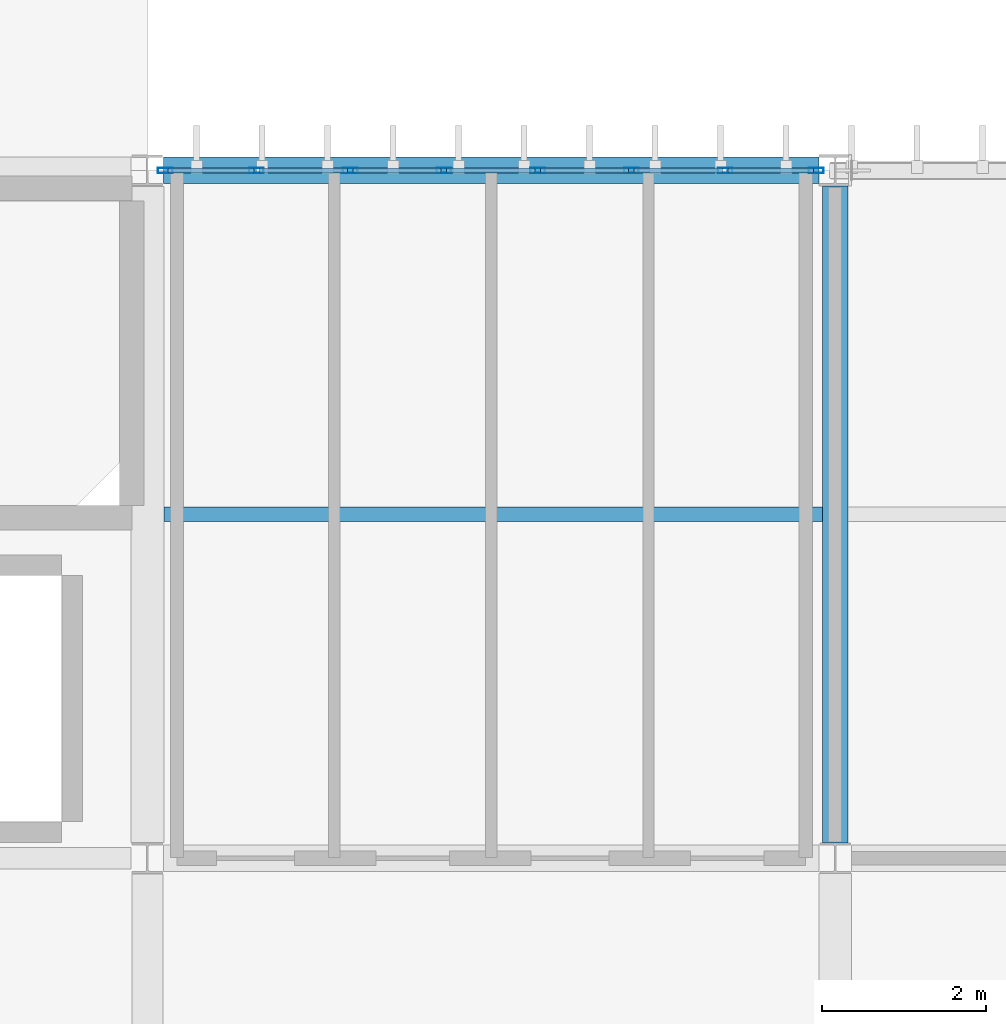
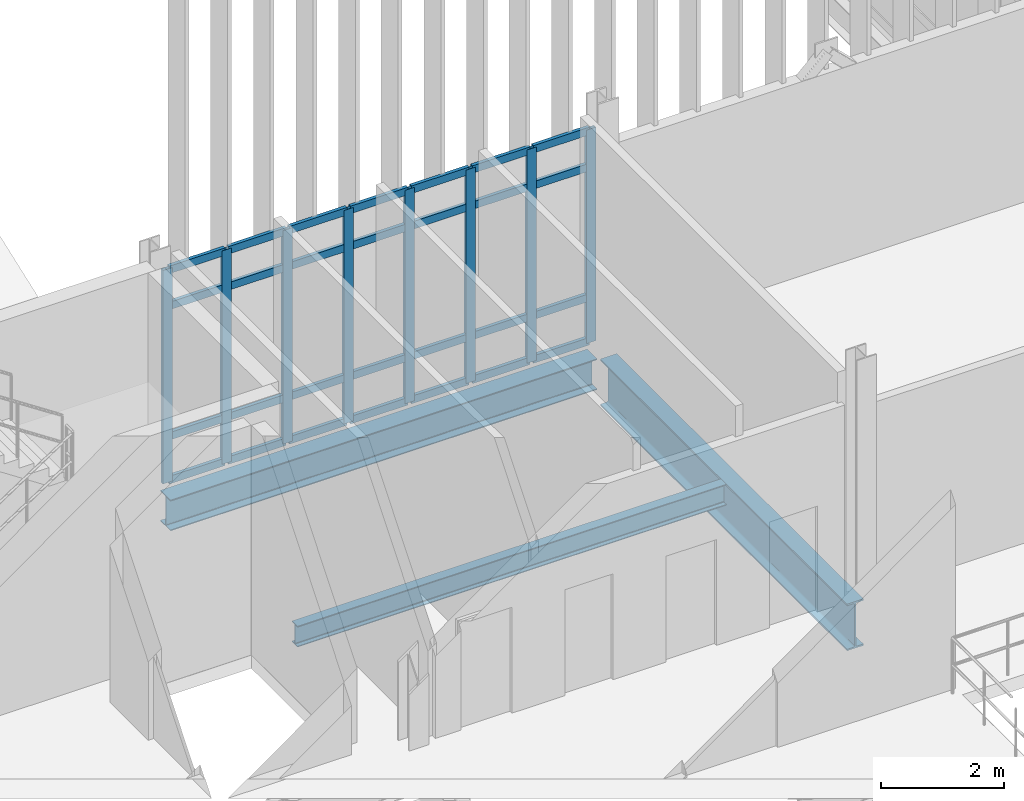
# One storey, part 28 of 153: 36 members, 3 beams, 1 element without a shape of its own.
"""IFC4 building model written with IfcOpenShell, lengths in metres."""

from ifc_helpers import new_model, si_unit, direction, frame, origin, origin_2d, place, context, subcontext, project, spatial, hollow_rectangle, i_section, extrude, material, layer, layer_set, material_profile, profile_set, type_object, element, aggregate, save


model = new_model("IFC4")

# Units and contexts
model_context = context("Model", 3, precision=1e-05, world=origin(), true_north=direction((0.0, 1.0)))
body_context = subcontext(model_context, "Body", "Model", "MODEL_VIEW")
ifc_project = project(units=[si_unit("LENGTHUNIT", "METRE"), si_unit("AREAUNIT", "SQUARE_METRE"), si_unit("VOLUMEUNIT", "CUBIC_METRE"), si_unit("PLANEANGLEUNIT", "RADIAN"), si_unit("MASSUNIT", "GRAM", prefix="KILO")], contexts=[model_context])

# Site, building, storey
site_placement = place(None, origin())
site = spatial("IfcSite", under=ifc_project, at=site_placement, CompositionType="ELEMENT")
building_placement = place(site_placement, origin())
building = spatial("IfcBuilding", under=site, at=building_placement, Name="Calvrana Isthmian Art Gallery", CompositionType="ELEMENT")
storey_placement = place(building_placement, frame((0.0, 0.0, 10.199951171875)))
storey = spatial("IfcBuildingStorey", under=building, at=storey_placement, Name="L02", CompositionType="ELEMENT", Elevation=10.199951171875)

# Beams
ifc_material_1 = material(Name="Steel ASTM A992 Gr 50", Category="steel")
ifc_material_profile_1 = material_profile(ifc_material_1, i_section(OverallWidth=0.324951171875, OverallDepth=0.612060546875, WebThickness=0.0126953125, FlangeThickness=0.01904296875, FilletRadius=0.02197265625, at=origin_2d()), Name="W24X104")
ifc_profile_set_1 = profile_set([ifc_material_profile_1], Name="Steel ASTM A992 Gr 50")
beam_type_1 = type_object("IfcBeamType", Name="BM-G-W24X104", PredefinedType="BEAM", material=ifc_profile_set_1)
beam_1_placement = place(storey_placement, frame((38.599609375, 46.800048828125, -0.571044921875), z_axis=(1.0, 0.0, 0.0), x_axis=(0.0, 1.0, 0.0)))
element("IfcBeam", 1, at=beam_1_placement, inside=storey, type_object=beam_type_1, Name="Girder X L02 06-07/G", PredefinedType="BEAM", context=body_context, shape_type="SweptSolid", body=[
    extrude(i_section(OverallWidth=0.324951171875, OverallDepth=0.612060546875, WebThickness=0.0126953125, FlangeThickness=0.01904296875, FilletRadius=0.02197265625, at=origin_2d()), origin(), (0.0, 0.0, 1.0), 8.00244140625),
])
ifc_material_profile_2 = material_profile(ifc_material_1, i_section(OverallWidth=0.306884765625, OverallDepth=0.927001953125, WebThickness=0.019287109375, FlangeThickness=0.031982421875, FilletRadius=0.028076171875, at=origin_2d()), Name="W36X194")
ifc_profile_set_2 = profile_set([ifc_material_profile_2], Name="Steel ASTM A992 Gr 50")
beam_type_2 = type_object("IfcBeamType", Name="BM-G-W36X194", PredefinedType="BEAM", material=ifc_profile_set_2)
beam_2_placement = place(storey_placement, frame((46.800048828125, 38.587890625, -0.728515625), z_axis=(0.0, 1.0, 0.0), x_axis=(-1.0, 0.0, 0.0)))
element("IfcBeam", 2, at=beam_2_placement, inside=storey, type_object=beam_type_2, Name="Girder Y L02 07/F-G", PredefinedType="BEAM", context=body_context, shape_type="SweptSolid", body=[
    extrude(i_section(OverallWidth=0.306884765625, OverallDepth=0.927001953125, WebThickness=0.019287109375, FlangeThickness=0.031982421875, FilletRadius=0.028076171875, at=origin_2d()), origin(), (0.0, 0.0, 1.0), 8.021728515625),
])
ifc_material_profile_3 = material_profile(ifc_material_1, i_section(OverallWidth=0.179931640625, OverallDepth=0.4140625, WebThickness=0.009765625, FlangeThickness=0.01611328125, FilletRadius=0.01806640625, at=origin_2d()), Name="W16X50")
ifc_profile_set_3 = profile_set([ifc_material_profile_3], Name="Steel ASTM A992 Gr 50")
beam_type_3 = type_object("IfcBeamType", Name="BM-J-W16X50", PredefinedType="JOIST", material=ifc_profile_set_3)
beam_3_placement = place(storey_placement, frame((38.6005859375, 42.60009765625, -0.471923828125), z_axis=(1.0, 0.0, 0.0), x_axis=(0.0, 1.0, 0.0)))
element("IfcBeam", 3, at=beam_3_placement, inside=storey, type_object=beam_type_3, Name="Composite joist L02 bay 05-05", PredefinedType="JOIST", context=body_context, shape_type="SweptSolid", body=[
    extrude(i_section(OverallWidth=0.179931640625, OverallDepth=0.4140625, WebThickness=0.009765625, FlangeThickness=0.01611328125, FilletRadius=0.01806640625, at=origin_2d()), origin(), (0.0, 0.0, 1.0), 8.0458984375),
])

# Curtain wall, members
ifc_material_2 = material(Name="Anodized bronze aluminium 6063-T6", Category="aluminium")
ifc_layer = layer(ifc_material_2, 0.179931640625, Name="Anodized bronze aluminium 6063-T6")
ifc_layer_set = layer_set([ifc_layer], Name="Anodized bronze aluminium 6063-T6")
curtain_wall_type = type_object("IfcCurtainWallType", Name="CW-UNIT-080X42", PredefinedType="USERDEFINED", material=ifc_layer_set)
curtain_wall_placement = place(storey_placement, origin())
curtain_wall = element("IfcCurtainWall", 4, at=curtain_wall_placement, inside=storey, type_object=curtain_wall_type, Name="Curtain wall CW-152", ObjectType="UNITISED CURTAIN WALL", PredefinedType="USERDEFINED")
ifc_material_profile_4 = material_profile(ifc_material_2, hollow_rectangle(XDim=0.06494140625, YDim=0.179931640625, WallThickness=0.00439453125, at=origin_2d()), Name="CWM65X180")
ifc_profile_set_4 = profile_set([ifc_material_profile_4], Name="Anodized bronze aluminium 6063-T6")
member_type_1 = type_object("IfcMemberType", Name="CWM-CWM65X180", PredefinedType="MULLION", material=ifc_profile_set_4)
member_1_placement = place(storey_placement, frame((38.618896484375, 46.800048828125, 0.0), z_axis=(0.0, 0.0, 1.0), x_axis=(0.0, 1.0, 0.0)))
member_1 = element("IfcMember", 5, at=member_1_placement, type_object=member_type_1, Name="CW-152 mullion 1", PredefinedType="MULLION", context=body_context, shape_type="SweptSolid", body=[
    extrude(hollow_rectangle(XDim=0.06494140625, YDim=0.179931640625, WallThickness=0.00439453125, at=origin_2d()), origin(), (0.0, 0.0, 1.0), 4.2353515625),
])
member_2_placement = place(storey_placement, frame((39.7314453125, 46.800048828125, 0.0), z_axis=(0.0, 0.0, 1.0), x_axis=(0.0, 1.0, 0.0)))
member_2 = element("IfcMember", 6, at=member_2_placement, type_object=member_type_1, Name="CW-152 mullion 2", PredefinedType="MULLION", context=body_context, shape_type="SweptSolid", body=[
    extrude(hollow_rectangle(XDim=0.06494140625, YDim=0.179931640625, WallThickness=0.00439453125, at=origin_2d()), origin(), (0.0, 0.0, 1.0), 4.2353515625),
])
member_3_placement = place(storey_placement, frame((40.876220703125, 46.800048828125, 0.0), z_axis=(0.0, 0.0, 1.0), x_axis=(0.0, 1.0, 0.0)))
member_3 = element("IfcMember", 7, at=member_3_placement, type_object=member_type_1, Name="CW-152 mullion 3", PredefinedType="MULLION", context=body_context, shape_type="SweptSolid", body=[
    extrude(hollow_rectangle(XDim=0.06494140625, YDim=0.179931640625, WallThickness=0.00439453125, at=origin_2d()), origin(), (0.0, 0.0, 1.0), 4.2353515625),
])
member_4_placement = place(storey_placement, frame((42.02099609375, 46.800048828125, 0.0), z_axis=(0.0, 0.0, 1.0), x_axis=(0.0, 1.0, 0.0)))
member_4 = element("IfcMember", 8, at=member_4_placement, type_object=member_type_1, Name="CW-152 mullion 4", PredefinedType="MULLION", context=body_context, shape_type="SweptSolid", body=[
    extrude(hollow_rectangle(XDim=0.06494140625, YDim=0.179931640625, WallThickness=0.00439453125, at=origin_2d()), origin(), (0.0, 0.0, 1.0), 4.2353515625),
])
member_5_placement = place(storey_placement, frame((43.166015625, 46.800048828125, 0.0), z_axis=(0.0, 0.0, 1.0), x_axis=(0.0, 1.0, 0.0)))
member_5 = element("IfcMember", 9, at=member_5_placement, type_object=member_type_1, Name="CW-152 mullion 5", PredefinedType="MULLION", context=body_context, shape_type="SweptSolid", body=[
    extrude(hollow_rectangle(XDim=0.06494140625, YDim=0.179931640625, WallThickness=0.00439453125, at=origin_2d()), origin(), (0.0, 0.0, 1.0), 4.2353515625),
])
member_6_placement = place(storey_placement, frame((44.310791015625, 46.800048828125, 0.0), z_axis=(0.0, 0.0, 1.0), x_axis=(0.0, 1.0, 0.0)))
member_6 = element("IfcMember", 10, at=member_6_placement, type_object=member_type_1, Name="CW-152 mullion 6", PredefinedType="MULLION", context=body_context, shape_type="SweptSolid", body=[
    extrude(hollow_rectangle(XDim=0.06494140625, YDim=0.179931640625, WallThickness=0.00439453125, at=origin_2d()), origin(), (0.0, 0.0, 1.0), 4.2353515625),
])
member_7_placement = place(storey_placement, frame((45.45556640625, 46.800048828125, 0.0), z_axis=(0.0, 0.0, 1.0), x_axis=(0.0, 1.0, 0.0)))
member_7 = element("IfcMember", 11, at=member_7_placement, type_object=member_type_1, Name="CW-152 mullion 7", PredefinedType="MULLION", context=body_context, shape_type="SweptSolid", body=[
    extrude(hollow_rectangle(XDim=0.06494140625, YDim=0.179931640625, WallThickness=0.00439453125, at=origin_2d()), origin(), (0.0, 0.0, 1.0), 4.2353515625),
])
member_8_placement = place(storey_placement, frame((46.568115234375, 46.800048828125, 0.0), z_axis=(0.0, 0.0, 1.0), x_axis=(0.0, 1.0, 0.0)))
member_8 = element("IfcMember", 12, at=member_8_placement, type_object=member_type_1, Name="CW-152 mullion 8", PredefinedType="MULLION", context=body_context, shape_type="SweptSolid", body=[
    extrude(hollow_rectangle(XDim=0.06494140625, YDim=0.179931640625, WallThickness=0.00439453125, at=origin_2d()), origin(), (0.0, 0.0, 1.0), 4.2353515625),
])
ifc_material_profile_5 = material_profile(ifc_material_2, hollow_rectangle(XDim=0.06494140625, YDim=0.14990234375, WallThickness=0.00390625, at=origin_2d()), Name="CWT65X150")
ifc_profile_set_5 = profile_set([ifc_material_profile_5], Name="Anodized bronze aluminium 6063-T6")
member_type_2 = type_object("IfcMemberType", Name="CWT-CWT65X150", PredefinedType="USERDEFINED", material=ifc_profile_set_5)
member_9_placement = place(storey_placement, frame((38.651611328125, 46.800048828125, 0.032470703125), z_axis=(1.0, 0.0, 0.0), x_axis=(0.0, 1.0, 0.0)))
member_9 = element("IfcMember", 13, at=member_9_placement, type_object=member_type_2, Name="CW-152 transom 1.1", ObjectType="TRANSOM", PredefinedType="USERDEFINED", context=body_context, shape_type="SweptSolid", body=[
    extrude(hollow_rectangle(XDim=0.06494140625, YDim=0.14990234375, WallThickness=0.00390625, at=origin_2d()), origin(), (0.0, 0.0, 1.0), 1.04736328125),
])
member_10_placement = place(storey_placement, frame((38.651611328125, 46.800048828125, 0.900146484375), z_axis=(1.0, 0.0, 0.0), x_axis=(0.0, 1.0, 0.0)))
member_10 = element("IfcMember", 14, at=member_10_placement, type_object=member_type_2, Name="CW-152 transom 1.2", ObjectType="TRANSOM", PredefinedType="USERDEFINED", context=body_context, shape_type="SweptSolid", body=[
    extrude(hollow_rectangle(XDim=0.06494140625, YDim=0.14990234375, WallThickness=0.00390625, at=origin_2d()), origin(), (0.0, 0.0, 1.0), 1.04736328125),
])
member_11_placement = place(storey_placement, frame((38.651611328125, 46.800048828125, 3.4853515625), z_axis=(1.0, 0.0, 0.0), x_axis=(0.0, 1.0, 0.0)))
member_11 = element("IfcMember", 15, at=member_11_placement, type_object=member_type_2, Name="CW-152 transom 1.3", ObjectType="TRANSOM", PredefinedType="USERDEFINED", context=body_context, shape_type="SweptSolid", body=[
    extrude(hollow_rectangle(XDim=0.06494140625, YDim=0.14990234375, WallThickness=0.00390625, at=origin_2d()), origin(), (0.0, 0.0, 1.0), 1.04736328125),
])
member_12_placement = place(storey_placement, frame((38.651611328125, 46.800048828125, 4.20263671875), z_axis=(1.0, 0.0, 0.0), x_axis=(0.0, 1.0, 0.0)))
member_12 = element("IfcMember", 16, at=member_12_placement, type_object=member_type_2, Name="CW-152 transom 1.4", ObjectType="TRANSOM", PredefinedType="USERDEFINED", context=body_context, shape_type="SweptSolid", body=[
    extrude(hollow_rectangle(XDim=0.06494140625, YDim=0.14990234375, WallThickness=0.00390625, at=origin_2d()), origin(), (0.0, 0.0, 1.0), 1.04736328125),
])
member_13_placement = place(storey_placement, frame((39.763916015625, 46.800048828125, 0.032470703125), z_axis=(1.0, 0.0, 0.0), x_axis=(0.0, 1.0, 0.0)))
member_13 = element("IfcMember", 17, at=member_13_placement, type_object=member_type_2, Name="CW-152 transom 2.1", ObjectType="TRANSOM", PredefinedType="USERDEFINED", context=body_context, shape_type="SweptSolid", body=[
    extrude(hollow_rectangle(XDim=0.06494140625, YDim=0.14990234375, WallThickness=0.00390625, at=origin_2d()), origin(), (0.0, 0.0, 1.0), 1.079833984375),
])
member_14_placement = place(storey_placement, frame((39.763916015625, 46.800048828125, 0.900146484375), z_axis=(1.0, 0.0, 0.0), x_axis=(0.0, 1.0, 0.0)))
member_14 = element("IfcMember", 18, at=member_14_placement, type_object=member_type_2, Name="CW-152 transom 2.2", ObjectType="TRANSOM", PredefinedType="USERDEFINED", context=body_context, shape_type="SweptSolid", body=[
    extrude(hollow_rectangle(XDim=0.06494140625, YDim=0.14990234375, WallThickness=0.00390625, at=origin_2d()), origin(), (0.0, 0.0, 1.0), 1.079833984375),
])
member_15_placement = place(storey_placement, frame((39.763916015625, 46.800048828125, 3.4853515625), z_axis=(1.0, 0.0, 0.0), x_axis=(0.0, 1.0, 0.0)))
member_15 = element("IfcMember", 19, at=member_15_placement, type_object=member_type_2, Name="CW-152 transom 2.3", ObjectType="TRANSOM", PredefinedType="USERDEFINED", context=body_context, shape_type="SweptSolid", body=[
    extrude(hollow_rectangle(XDim=0.06494140625, YDim=0.14990234375, WallThickness=0.00390625, at=origin_2d()), origin(), (0.0, 0.0, 1.0), 1.079833984375),
])
member_16_placement = place(storey_placement, frame((39.763916015625, 46.800048828125, 4.20263671875), z_axis=(1.0, 0.0, 0.0), x_axis=(0.0, 1.0, 0.0)))
member_16 = element("IfcMember", 20, at=member_16_placement, type_object=member_type_2, Name="CW-152 transom 2.4", ObjectType="TRANSOM", PredefinedType="USERDEFINED", context=body_context, shape_type="SweptSolid", body=[
    extrude(hollow_rectangle(XDim=0.06494140625, YDim=0.14990234375, WallThickness=0.00390625, at=origin_2d()), origin(), (0.0, 0.0, 1.0), 1.079833984375),
])
member_17_placement = place(storey_placement, frame((40.90869140625, 46.800048828125, 0.032470703125), z_axis=(1.0, 0.0, 0.0), x_axis=(0.0, 1.0, 0.0)))
member_17 = element("IfcMember", 21, at=member_17_placement, type_object=member_type_2, Name="CW-152 transom 3.1", ObjectType="TRANSOM", PredefinedType="USERDEFINED", context=body_context, shape_type="SweptSolid", body=[
    extrude(hollow_rectangle(XDim=0.06494140625, YDim=0.14990234375, WallThickness=0.00390625, at=origin_2d()), origin(), (0.0, 0.0, 1.0), 1.079833984375),
])
member_18_placement = place(storey_placement, frame((40.90869140625, 46.800048828125, 0.900146484375), z_axis=(1.0, 0.0, 0.0), x_axis=(0.0, 1.0, 0.0)))
member_18 = element("IfcMember", 22, at=member_18_placement, type_object=member_type_2, Name="CW-152 transom 3.2", ObjectType="TRANSOM", PredefinedType="USERDEFINED", context=body_context, shape_type="SweptSolid", body=[
    extrude(hollow_rectangle(XDim=0.06494140625, YDim=0.14990234375, WallThickness=0.00390625, at=origin_2d()), origin(), (0.0, 0.0, 1.0), 1.079833984375),
])
member_19_placement = place(storey_placement, frame((40.90869140625, 46.800048828125, 3.4853515625), z_axis=(1.0, 0.0, 0.0), x_axis=(0.0, 1.0, 0.0)))
member_19 = element("IfcMember", 23, at=member_19_placement, type_object=member_type_2, Name="CW-152 transom 3.3", ObjectType="TRANSOM", PredefinedType="USERDEFINED", context=body_context, shape_type="SweptSolid", body=[
    extrude(hollow_rectangle(XDim=0.06494140625, YDim=0.14990234375, WallThickness=0.00390625, at=origin_2d()), origin(), (0.0, 0.0, 1.0), 1.079833984375),
])
member_20_placement = place(storey_placement, frame((40.90869140625, 46.800048828125, 4.20263671875), z_axis=(1.0, 0.0, 0.0), x_axis=(0.0, 1.0, 0.0)))
member_20 = element("IfcMember", 24, at=member_20_placement, type_object=member_type_2, Name="CW-152 transom 3.4", ObjectType="TRANSOM", PredefinedType="USERDEFINED", context=body_context, shape_type="SweptSolid", body=[
    extrude(hollow_rectangle(XDim=0.06494140625, YDim=0.14990234375, WallThickness=0.00390625, at=origin_2d()), origin(), (0.0, 0.0, 1.0), 1.079833984375),
])
member_21_placement = place(storey_placement, frame((42.053466796875, 46.800048828125, 0.032470703125), z_axis=(1.0, 0.0, 0.0), x_axis=(0.0, 1.0, 0.0)))
member_21 = element("IfcMember", 25, at=member_21_placement, type_object=member_type_2, Name="CW-152 transom 4.1", ObjectType="TRANSOM", PredefinedType="USERDEFINED", context=body_context, shape_type="SweptSolid", body=[
    extrude(hollow_rectangle(XDim=0.06494140625, YDim=0.14990234375, WallThickness=0.00390625, at=origin_2d()), origin(), (0.0, 0.0, 1.0), 1.080078125),
])
member_22_placement = place(storey_placement, frame((42.053466796875, 46.800048828125, 0.900146484375), z_axis=(1.0, 0.0, 0.0), x_axis=(0.0, 1.0, 0.0)))
member_22 = element("IfcMember", 26, at=member_22_placement, type_object=member_type_2, Name="CW-152 transom 4.2", ObjectType="TRANSOM", PredefinedType="USERDEFINED", context=body_context, shape_type="SweptSolid", body=[
    extrude(hollow_rectangle(XDim=0.06494140625, YDim=0.14990234375, WallThickness=0.00390625, at=origin_2d()), origin(), (0.0, 0.0, 1.0), 1.080078125),
])
member_23_placement = place(storey_placement, frame((42.053466796875, 46.800048828125, 3.4853515625), z_axis=(1.0, 0.0, 0.0), x_axis=(0.0, 1.0, 0.0)))
member_23 = element("IfcMember", 27, at=member_23_placement, type_object=member_type_2, Name="CW-152 transom 4.3", ObjectType="TRANSOM", PredefinedType="USERDEFINED", context=body_context, shape_type="SweptSolid", body=[
    extrude(hollow_rectangle(XDim=0.06494140625, YDim=0.14990234375, WallThickness=0.00390625, at=origin_2d()), origin(), (0.0, 0.0, 1.0), 1.080078125),
])
member_24_placement = place(storey_placement, frame((42.053466796875, 46.800048828125, 4.20263671875), z_axis=(1.0, 0.0, 0.0), x_axis=(0.0, 1.0, 0.0)))
member_24 = element("IfcMember", 28, at=member_24_placement, type_object=member_type_2, Name="CW-152 transom 4.4", ObjectType="TRANSOM", PredefinedType="USERDEFINED", context=body_context, shape_type="SweptSolid", body=[
    extrude(hollow_rectangle(XDim=0.06494140625, YDim=0.14990234375, WallThickness=0.00390625, at=origin_2d()), origin(), (0.0, 0.0, 1.0), 1.080078125),
])
member_25_placement = place(storey_placement, frame((43.198486328125, 46.800048828125, 0.032470703125), z_axis=(1.0, 0.0, 0.0), x_axis=(0.0, 1.0, 0.0)))
member_25 = element("IfcMember", 29, at=member_25_placement, type_object=member_type_2, Name="CW-152 transom 5.1", ObjectType="TRANSOM", PredefinedType="USERDEFINED", context=body_context, shape_type="SweptSolid", body=[
    extrude(hollow_rectangle(XDim=0.06494140625, YDim=0.14990234375, WallThickness=0.00390625, at=origin_2d()), origin(), (0.0, 0.0, 1.0), 1.079833984375),
])
member_26_placement = place(storey_placement, frame((43.198486328125, 46.800048828125, 0.900146484375), z_axis=(1.0, 0.0, 0.0), x_axis=(0.0, 1.0, 0.0)))
member_26 = element("IfcMember", 30, at=member_26_placement, type_object=member_type_2, Name="CW-152 transom 5.2", ObjectType="TRANSOM", PredefinedType="USERDEFINED", context=body_context, shape_type="SweptSolid", body=[
    extrude(hollow_rectangle(XDim=0.06494140625, YDim=0.14990234375, WallThickness=0.00390625, at=origin_2d()), origin(), (0.0, 0.0, 1.0), 1.079833984375),
])
member_27_placement = place(storey_placement, frame((43.198486328125, 46.800048828125, 3.4853515625), z_axis=(1.0, 0.0, 0.0), x_axis=(0.0, 1.0, 0.0)))
member_27 = element("IfcMember", 31, at=member_27_placement, type_object=member_type_2, Name="CW-152 transom 5.3", ObjectType="TRANSOM", PredefinedType="USERDEFINED", context=body_context, shape_type="SweptSolid", body=[
    extrude(hollow_rectangle(XDim=0.06494140625, YDim=0.14990234375, WallThickness=0.00390625, at=origin_2d()), origin(), (0.0, 0.0, 1.0), 1.079833984375),
])
member_28_placement = place(storey_placement, frame((43.198486328125, 46.800048828125, 4.20263671875), z_axis=(1.0, 0.0, 0.0), x_axis=(0.0, 1.0, 0.0)))
member_28 = element("IfcMember", 32, at=member_28_placement, type_object=member_type_2, Name="CW-152 transom 5.4", ObjectType="TRANSOM", PredefinedType="USERDEFINED", context=body_context, shape_type="SweptSolid", body=[
    extrude(hollow_rectangle(XDim=0.06494140625, YDim=0.14990234375, WallThickness=0.00390625, at=origin_2d()), origin(), (0.0, 0.0, 1.0), 1.079833984375),
])
member_29_placement = place(storey_placement, frame((44.34326171875, 46.800048828125, 0.032470703125), z_axis=(1.0, 0.0, 0.0), x_axis=(0.0, 1.0, 0.0)))
member_29 = element("IfcMember", 33, at=member_29_placement, type_object=member_type_2, Name="CW-152 transom 6.1", ObjectType="TRANSOM", PredefinedType="USERDEFINED", context=body_context, shape_type="SweptSolid", body=[
    extrude(hollow_rectangle(XDim=0.06494140625, YDim=0.14990234375, WallThickness=0.00390625, at=origin_2d()), origin(), (0.0, 0.0, 1.0), 1.079833984375),
])
member_30_placement = place(storey_placement, frame((44.34326171875, 46.800048828125, 0.900146484375), z_axis=(1.0, 0.0, 0.0), x_axis=(0.0, 1.0, 0.0)))
member_30 = element("IfcMember", 34, at=member_30_placement, type_object=member_type_2, Name="CW-152 transom 6.2", ObjectType="TRANSOM", PredefinedType="USERDEFINED", context=body_context, shape_type="SweptSolid", body=[
    extrude(hollow_rectangle(XDim=0.06494140625, YDim=0.14990234375, WallThickness=0.00390625, at=origin_2d()), origin(), (0.0, 0.0, 1.0), 1.079833984375),
])
member_31_placement = place(storey_placement, frame((44.34326171875, 46.800048828125, 3.4853515625), z_axis=(1.0, 0.0, 0.0), x_axis=(0.0, 1.0, 0.0)))
member_31 = element("IfcMember", 35, at=member_31_placement, type_object=member_type_2, Name="CW-152 transom 6.3", ObjectType="TRANSOM", PredefinedType="USERDEFINED", context=body_context, shape_type="SweptSolid", body=[
    extrude(hollow_rectangle(XDim=0.06494140625, YDim=0.14990234375, WallThickness=0.00390625, at=origin_2d()), origin(), (0.0, 0.0, 1.0), 1.079833984375),
])
member_32_placement = place(storey_placement, frame((44.34326171875, 46.800048828125, 4.20263671875), z_axis=(1.0, 0.0, 0.0), x_axis=(0.0, 1.0, 0.0)))
member_32 = element("IfcMember", 36, at=member_32_placement, type_object=member_type_2, Name="CW-152 transom 6.4", ObjectType="TRANSOM", PredefinedType="USERDEFINED", context=body_context, shape_type="SweptSolid", body=[
    extrude(hollow_rectangle(XDim=0.06494140625, YDim=0.14990234375, WallThickness=0.00390625, at=origin_2d()), origin(), (0.0, 0.0, 1.0), 1.079833984375),
])
member_33_placement = place(storey_placement, frame((45.488037109375, 46.800048828125, 0.032470703125), z_axis=(1.0, 0.0, 0.0), x_axis=(0.0, 1.0, 0.0)))
member_33 = element("IfcMember", 37, at=member_33_placement, type_object=member_type_2, Name="CW-152 transom 7.1", ObjectType="TRANSOM", PredefinedType="USERDEFINED", context=body_context, shape_type="SweptSolid", body=[
    extrude(hollow_rectangle(XDim=0.06494140625, YDim=0.14990234375, WallThickness=0.00390625, at=origin_2d()), origin(), (0.0, 0.0, 1.0), 1.04736328125),
])
member_34_placement = place(storey_placement, frame((45.488037109375, 46.800048828125, 0.900146484375), z_axis=(1.0, 0.0, 0.0), x_axis=(0.0, 1.0, 0.0)))
member_34 = element("IfcMember", 38, at=member_34_placement, type_object=member_type_2, Name="CW-152 transom 7.2", ObjectType="TRANSOM", PredefinedType="USERDEFINED", context=body_context, shape_type="SweptSolid", body=[
    extrude(hollow_rectangle(XDim=0.06494140625, YDim=0.14990234375, WallThickness=0.00390625, at=origin_2d()), origin(), (0.0, 0.0, 1.0), 1.04736328125),
])
member_35_placement = place(storey_placement, frame((45.488037109375, 46.800048828125, 3.4853515625), z_axis=(1.0, 0.0, 0.0), x_axis=(0.0, 1.0, 0.0)))
member_35 = element("IfcMember", 39, at=member_35_placement, type_object=member_type_2, Name="CW-152 transom 7.3", ObjectType="TRANSOM", PredefinedType="USERDEFINED", context=body_context, shape_type="SweptSolid", body=[
    extrude(hollow_rectangle(XDim=0.06494140625, YDim=0.14990234375, WallThickness=0.00390625, at=origin_2d()), origin(), (0.0, 0.0, 1.0), 1.04736328125),
])
member_36_placement = place(storey_placement, frame((45.488037109375, 46.800048828125, 4.20263671875), z_axis=(1.0, 0.0, 0.0), x_axis=(0.0, 1.0, 0.0)))
member_36 = element("IfcMember", 40, at=member_36_placement, type_object=member_type_2, Name="CW-152 transom 7.4", ObjectType="TRANSOM", PredefinedType="USERDEFINED", context=body_context, shape_type="SweptSolid", body=[
    extrude(hollow_rectangle(XDim=0.06494140625, YDim=0.14990234375, WallThickness=0.00390625, at=origin_2d()), origin(), (0.0, 0.0, 1.0), 1.04736328125),
])
aggregate(curtain_wall, [member_1, member_2, member_3, member_4, member_5, member_6, member_7, member_8, member_9, member_10, member_11, member_12, member_13, member_14, member_15, member_16, member_17, member_18, member_19, member_20, member_21, member_22, member_23, member_24, member_25, member_26, member_27, member_28, member_29, member_30, member_31, member_32, member_33, member_34, member_35, member_36])

save(model, "model.ifc")
